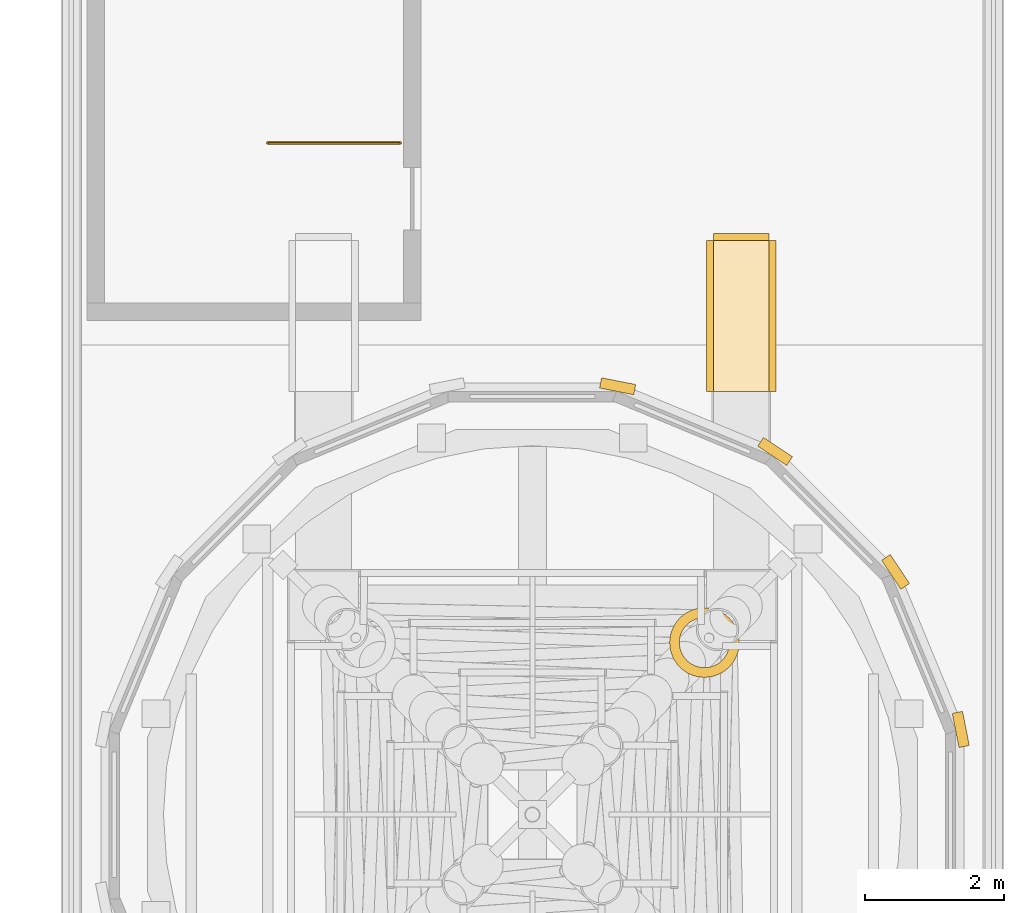
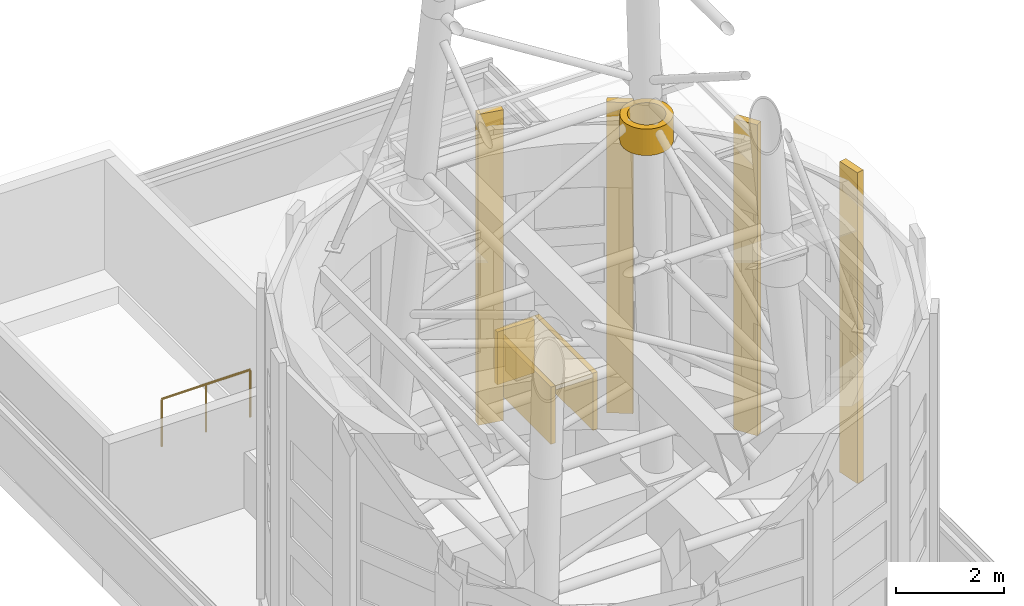
# One storey, part 36 of 36: 9 coverings, 1 railing.
"""IFC4 building model written with IfcOpenShell, lengths in metres."""

from ifc_helpers import new_model, si_unit, direction, frame, origin, origin_2d, place, context, subcontext, project, spatial, polyline, rectangle, circle, outline, extrude, material, layer, layer_set, type_object, element, save


model = new_model("IFC4")

# Units and contexts
model_context = context("Model", 3, precision=1e-05, world=origin(), true_north=direction((0.0, 1.0)))
body_context = subcontext(model_context, "Body", "Model", "MODEL_VIEW")
ifc_project = project(units=[si_unit("LENGTHUNIT", "METRE"), si_unit("AREAUNIT", "SQUARE_METRE"), si_unit("VOLUMEUNIT", "CUBIC_METRE"), si_unit("PLANEANGLEUNIT", "RADIAN"), si_unit("MASSUNIT", "GRAM", prefix="KILO")], contexts=[model_context])

# Site, building, storey
site_placement = place(None, origin())
site = spatial("IfcSite", under=ifc_project, at=site_placement, CompositionType="ELEMENT")
building_placement = place(site_placement, origin())
building = spatial("IfcBuilding", under=site, at=building_placement, Name="Ipe Terrace Towers", CompositionType="ELEMENT")
storey_placement = place(building_placement, frame((0.0, 0.0, 264.89990234375)))
storey = spatial("IfcBuildingStorey", under=building, at=storey_placement, Name="Roof", CompositionType="ELEMENT", Elevation=264.89990234375)

# Coverings
ifc_material_1 = material(Name="Concrete C50/60 precast, buff finish", Category="concrete")
ifc_layer_1 = layer(ifc_material_1, 0.14990234375)
ifc_layer_set_1 = layer_set([ifc_layer_1], Name="DRUM PILASTER 150")
covering_type_1 = type_object("IfcCoveringType", Name="DRUM PILASTER 150", PredefinedType="CLADDING", material=ifc_layer_set_1)
for number, where, z_axis, x_axis, name in (
    (1, (42.154052734375, 1.22412109375, 0.940185546875), (0.0, 0.0, 1.0), (0.980785280403, 0.195090322016, 0.0), "drum stone pilaster"),
    (2, (41.217041015625, 3.486083984375, 0.940185546875), (0.0, 0.0, 1.0), (0.831469612303, 0.55557023302, 0.0), "drum stone pilaster"),
    (3, (39.486083984375, 5.217041015625, 0.940185546875), (0.0, 0.0, 1.0), (0.55557023302, 0.831469612303, 0.0), "drum stone pilaster"),
    (4, (37.22412109375, 6.154052734375, 0.940185546875), (0.0, 0.0, 1.0), (0.195090322016, 0.980785280403, 0.0), "drum stone pilaster"),
):
    element("IfcCovering", number, at=place(storey_placement, frame(where, z_axis=z_axis, x_axis=x_axis)), inside=storey, type_object=covering_type_1, Name=name, PredefinedType="CLADDING", context=body_context, shape_type="SweptSolid", body=[
        extrude(rectangle(XDim=0.14990234375, YDim=0.5, at=origin_2d()), origin(), (0.0, 0.0, 1.0), 7.06005859375),
    ])
ifc_material_2 = material(Name="Concrete C50/60 precast, buff finish", Category="concrete")
ifc_layer_2 = layer(ifc_material_2, 0.10009765625)
ifc_layer_set_2 = layer_set([ifc_layer_2], Name="GIRDER CASING 100")
covering_type_2 = type_object("IfcCoveringType", Name="GIRDER CASING 100", PredefinedType="CLADDING", material=ifc_layer_set_2)
covering_1_placement = place(storey_placement, origin())
element("IfcCovering", 5, at=covering_1_placement, inside=storey, type_object=covering_type_2, Name="girder stone casing", PredefinedType="CLADDING", context=body_context, shape_type="SweptSolid", body=[
    extrude(outline(polyline([(39.5, 6.0810546875), (39.5, 8.25), (39.39990234375, 8.25), (39.39990234375, 6.0810546875), (39.5, 6.0810546875)])), origin(), (0.0, 0.0, 1.0), 1.300048828125),
])
covering_2_placement = place(storey_placement, origin())
element("IfcCovering", 6, at=covering_2_placement, inside=storey, type_object=covering_type_2, Name="girder stone casing", PredefinedType="CLADDING", context=body_context, shape_type="SweptSolid", body=[
    extrude(outline(polyline([(38.60009765625, 6.0810546875), (38.60009765625, 8.25), (38.5, 8.25), (38.5, 6.0810546875), (38.60009765625, 6.0810546875)])), origin(), (0.0, 0.0, 1.0), 1.300048828125),
])
covering_3_placement = place(storey_placement, frame((0.0, 0.0, 1.2001953125)))
element("IfcCovering", 7, at=covering_3_placement, inside=storey, type_object=covering_type_2, Name="girder stone casing", PredefinedType="CLADDING", context=body_context, shape_type="SweptSolid", body=[
    extrude(outline(polyline([(39.39990234375, 6.0810546875), (39.39990234375, 8.25), (38.60009765625, 8.25), (38.60009765625, 6.0810546875), (39.39990234375, 6.0810546875)])), origin(), (0.0, 0.0, 1.0), 0.099853515625),
])
covering_4_placement = place(storey_placement, origin())
element("IfcCovering", 8, at=covering_4_placement, inside=storey, type_object=covering_type_2, Name="girder stone casing", PredefinedType="CLADDING", context=body_context, shape_type="SweptSolid", body=[
    extrude(outline(polyline([(39.39990234375, 8.25), (39.39990234375, 8.35009765625), (38.60009765625, 8.35009765625), (38.60009765625, 8.25), (39.39990234375, 8.25)])), origin(), (0.0, 0.0, 1.0), 1.2001953125),
])
ifc_material_3 = material(Name="Concrete C50/60 precast, buff finish", Category="concrete")
ifc_layer_3 = layer(ifc_material_3, 0.139892578125)
ifc_layer_set_3 = layer_set([ifc_layer_3], Name="MAST COLLAR SLEEVE 140")
covering_type_3 = type_object("IfcCoveringType", Name="MAST COLLAR SLEEVE 140", PredefinedType="CLADDING", material=ifc_layer_set_3)
covering_5_placement = place(storey_placement, frame((0.0, 0.0, 9.110107421875)))
element("IfcCovering", 9, at=covering_5_placement, inside=storey, type_object=covering_type_3, Name="mast stone collar", PredefinedType="CLADDING", context=body_context, shape_type="SweptSolid", body=[
    extrude(outline(polyline([(38.967041015625, 2.406005859375), (38.955078125, 2.342041015625), (38.93408203125, 2.280029296875), (38.905029296875, 2.221923828125), (38.867919921875, 2.1669921875), (38.824951171875, 2.117919921875), (38.77587890625, 2.074951171875), (38.721923828125, 2.0390625), (38.6630859375, 2.010009765625), (38.60107421875, 1.989013671875), (38.537109375, 1.97607421875), (38.471923828125, 1.971923828125), (38.406005859375, 1.97607421875), (38.342041015625, 1.989013671875), (38.280029296875, 2.010009765625), (38.221923828125, 2.0390625), (38.1669921875, 2.074951171875), (38.117919921875, 2.117919921875), (38.074951171875, 2.1669921875), (38.0390625, 2.221923828125), (38.010009765625, 2.280029296875), (37.989013671875, 2.342041015625), (37.97607421875, 2.406005859375), (37.971923828125, 2.471923828125), (37.97607421875, 2.537109375), (37.989013671875, 2.60107421875), (38.010009765625, 2.6630859375), (38.0390625, 2.721923828125), (38.074951171875, 2.77587890625), (38.117919921875, 2.824951171875), (38.1669921875, 2.867919921875), (38.221923828125, 2.905029296875), (38.280029296875, 2.93408203125), (38.342041015625, 2.955078125), (38.406005859375, 2.967041015625), (38.471923828125, 2.971923828125), (38.537109375, 2.967041015625), (38.60107421875, 2.955078125), (38.6630859375, 2.93408203125), (38.721923828125, 2.905029296875), (38.77587890625, 2.867919921875), (38.824951171875, 2.824951171875), (38.867919921875, 2.77587890625), (38.905029296875, 2.721923828125), (38.93408203125, 2.6630859375), (38.955078125, 2.60107421875), (38.967041015625, 2.537109375), (38.971923828125, 2.471923828125), (38.967041015625, 2.406005859375)]), holes=[polyline([(38.8291015625, 2.51904296875), (38.819091796875, 2.56494140625), (38.803955078125, 2.60888671875), (38.782958984375, 2.652099609375), (38.757080078125, 2.69091796875), (38.72607421875, 2.72607421875), (38.69091796875, 2.757080078125), (38.652099609375, 2.782958984375), (38.60888671875, 2.803955078125), (38.56494140625, 2.819091796875), (38.51904296875, 2.8291015625), (38.471923828125, 2.83203125), (38.425048828125, 2.8291015625), (38.3779296875, 2.819091796875), (38.333984375, 2.803955078125), (38.2919921875, 2.782958984375), (38.2529296875, 2.757080078125), (38.217041015625, 2.72607421875), (38.18603515625, 2.69091796875), (38.159912109375, 2.652099609375), (38.138916015625, 2.60888671875), (38.1240234375, 2.56494140625), (38.114990234375, 2.51904296875), (38.112060546875, 2.471923828125), (38.114990234375, 2.425048828125), (38.1240234375, 2.3779296875), (38.138916015625, 2.333984375), (38.159912109375, 2.2919921875), (38.18603515625, 2.2529296875), (38.217041015625, 2.217041015625), (38.2529296875, 2.18603515625), (38.2919921875, 2.159912109375), (38.333984375, 2.138916015625), (38.3779296875, 2.1240234375), (38.425048828125, 2.114990234375), (38.471923828125, 2.112060546875), (38.51904296875, 2.114990234375), (38.56494140625, 2.1240234375), (38.60888671875, 2.138916015625), (38.652099609375, 2.159912109375), (38.69091796875, 2.18603515625), (38.72607421875, 2.217041015625), (38.757080078125, 2.2529296875), (38.782958984375, 2.2919921875), (38.803955078125, 2.333984375), (38.819091796875, 2.3779296875), (38.8291015625, 2.425048828125), (38.83203125, 2.471923828125), (38.8291015625, 2.51904296875)])]), origin(), (0.0, 0.0, 1.0), 0.60009765625),
])

# Railing
ifc_material_4 = material(Name="Steel S355", Category="steel")
railing_type = type_object("IfcRailingType", Name="Stair guard 1100", PredefinedType="GUARDRAIL", material=ifc_material_4)
railing_placement = place(storey_placement, frame((34.10009765625, 9.64990234375, 0.0)))
element("IfcRailing", 10, at=railing_placement, inside=storey, type_object=railing_type, Name="Roof T2-ST1 top well guard 1", PredefinedType="GUARDRAIL", context=body_context, shape_type="SweptSolid", body=[
    extrude(circle(Radius=0.02392578125, at=origin_2d()), frame((0.0, 0.0, 1.076171875), z_axis=(-1.0, 0.0, 0.0), x_axis=(0.0, -1.0, 0.0)), (0.0, 0.0, 1.0), 1.900146484375),
    extrude(circle(Radius=0.02099609375, at=origin_2d()), origin(), (0.0, 0.0, 1.0), 1.052001953125),
    extrude(circle(Radius=0.02099609375, at=origin_2d()), frame((-0.9501953125, 0.0, 0.0)), (0.0, 0.0, 1.0), 1.052001953125),
    extrude(circle(Radius=0.02099609375, at=origin_2d()), frame((-1.900146484375, 0.0, 0.0)), (0.0, 0.0, 1.0), 1.052001953125),
])

save(model, "model.ifc")
